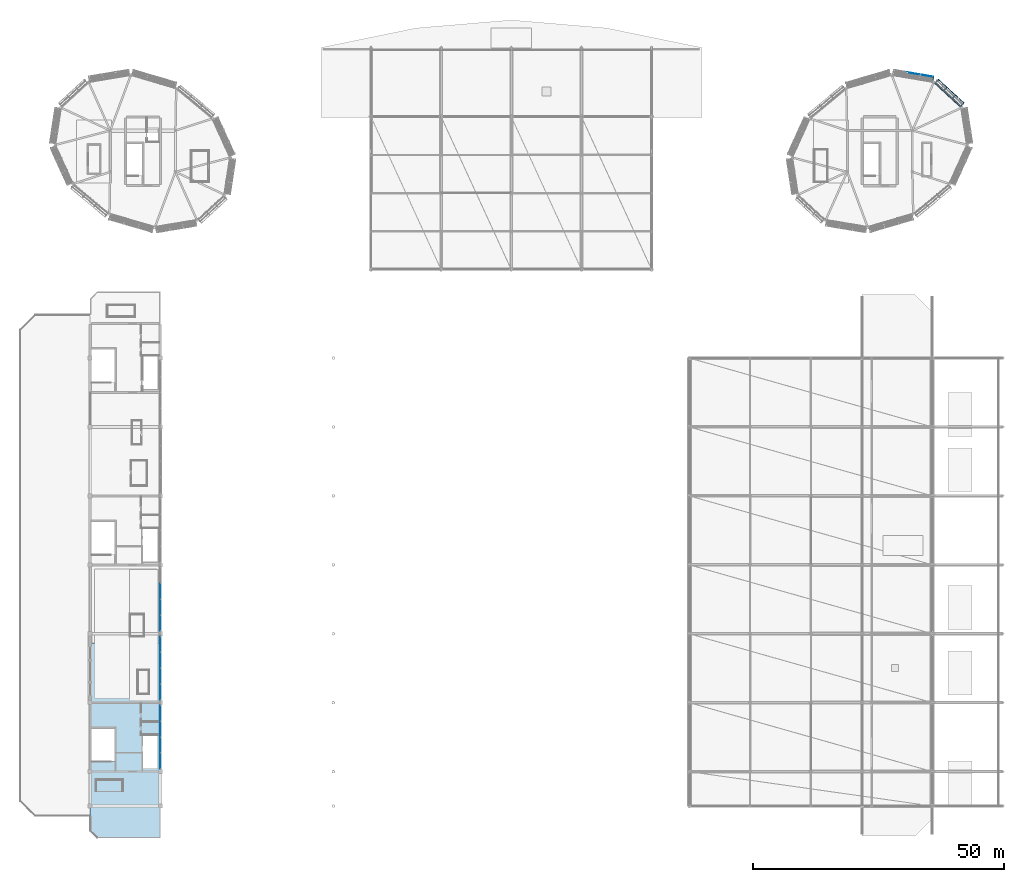
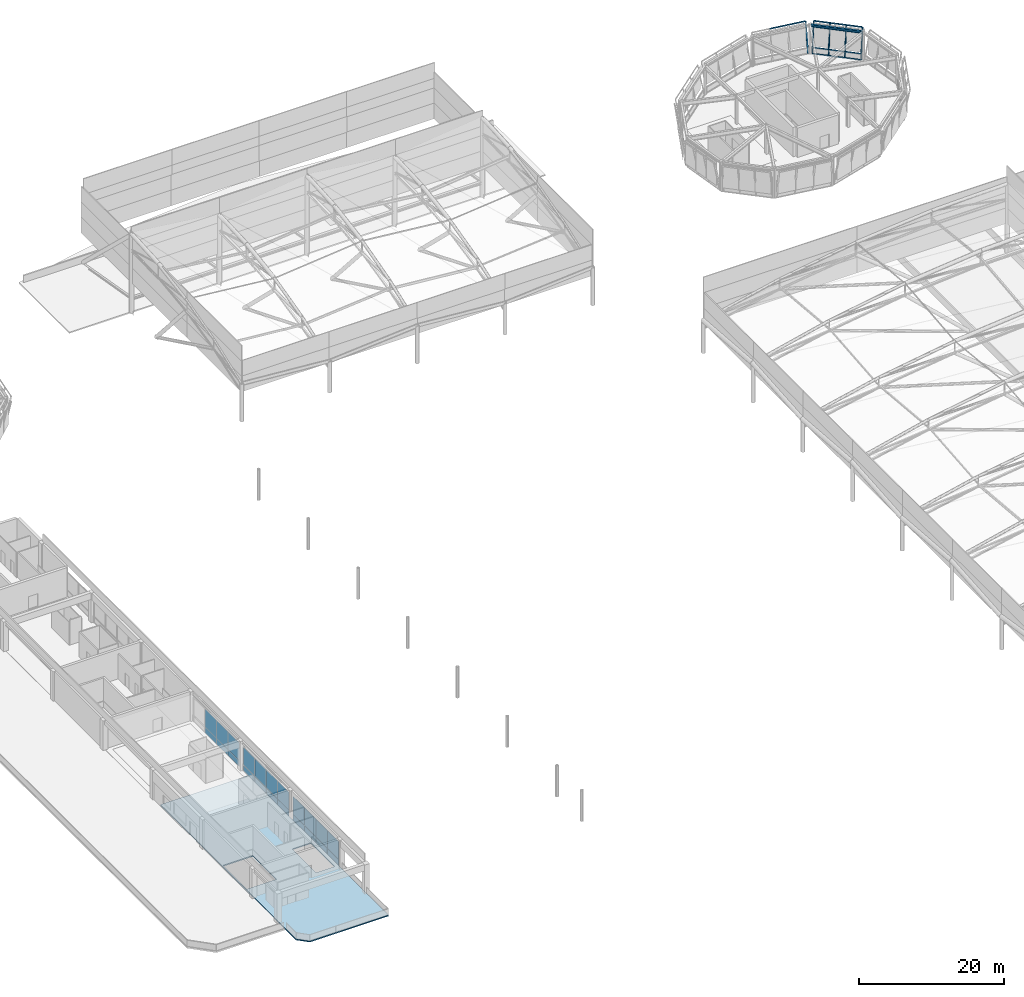
# One storey, part 66 of 113: 22 plates, 16 members, 1 beam, 1 slab, 5 elements without a shape of their own.
"""IFC4 building model written with IfcOpenShell, lengths in metres."""

from ifc_helpers import new_model, si_unit, direction, frame, origin, origin_2d, place, context, subcontext, project, spatial, polyline, rectangle, hollow_rectangle, i_section, outline, extrude, material, layer, layer_set, material_profile, profile_set, type_object, element, aggregate, save


model = new_model("IFC4")

# Units and contexts
model_context = context("Model", 3, precision=1e-05, world=origin(), true_north=direction((0.0, 1.0)))
body_context = subcontext(model_context, "Body", "Model", "MODEL_VIEW")
ifc_project = project(units=[si_unit("LENGTHUNIT", "METRE"), si_unit("AREAUNIT", "SQUARE_METRE"), si_unit("VOLUMEUNIT", "CUBIC_METRE"), si_unit("PLANEANGLEUNIT", "RADIAN"), si_unit("MASSUNIT", "GRAM", prefix="KILO")], contexts=[model_context])

# Site, building, storey
site_placement = place(None, origin())
site = spatial("IfcSite", under=ifc_project, at=site_placement, CompositionType="ELEMENT")
building_placement = place(site_placement, origin())
building = spatial("IfcBuilding", under=site, at=building_placement, Name="Linyun Crest Stadium", CompositionType="ELEMENT")
storey_placement = place(building_placement, frame((0.0, 0.0, 26.39990234375)))
storey = spatial("IfcBuildingStorey", under=building, at=storey_placement, Name="L06", CompositionType="ELEMENT", Elevation=26.39990234375)

# Beam
ifc_material_1 = material(Name="Steel Q355C", Category="steel")
ifc_material_profile_1 = material_profile(ifc_material_1, i_section(OverallWidth=0.300048828125, OverallDepth=0.389892578125, WebThickness=0.010009765625, FlangeThickness=0.01611328125, at=origin_2d()), Name="HM 390x300")
ifc_profile_set_1 = profile_set([ifc_material_profile_1], Name="Steel Q355C")
beam_type = type_object("IfcBeamType", Name="B06", PredefinedType="BEAM", material=ifc_profile_set_1)
beam_placement = place(storey_placement, frame((89.7470703125, 93.39111328125, 4.75), z_axis=(-0.734193861678, 0.678939889441, 0.0), x_axis=(-0.678939889441, -0.734193861678, 0.0)))
element("IfcBeam", 1, at=beam_placement, inside=storey, type_object=beam_type, Name="Pod ring girder B06 L06 169", PredefinedType="BEAM", context=body_context, shape_type="SweptSolid", body=[
    extrude(i_section(OverallWidth=0.300048828125, OverallDepth=0.389892578125, WebThickness=0.010009765625, FlangeThickness=0.01611328125, at=origin_2d()), origin(), (0.0, 0.0, 1.0), 7.28173828125),
])

# Curtain wall, members
ifc_material_2 = material(Name="Verdigris steel and low-E curtain wall assembly", Category="steel")
curtain_wall_type_1 = type_object("IfcCurtainWallType", Name="MCW04", PredefinedType="NOTDEFINED", material=ifc_material_2)
curtain_wall_1_placement = place(storey_placement, origin())
curtain_wall_1 = element("IfcCurtainWall", 2, at=curtain_wall_1_placement, inside=storey, type_object=curtain_wall_type_1, Name="CWR-061", PredefinedType="NOTDEFINED")
ifc_material_3 = material(Name="Verdigris painted steel Q355C pod mullion", Category="steel")
ifc_material_profile_2 = material_profile(ifc_material_3, hollow_rectangle(XDim=0.1201171875, YDim=0.219970703125, WallThickness=0.008056640625, at=origin_2d()), Name="RHS 220x120x8")
ifc_profile_set_2 = profile_set([ifc_material_profile_2], Name="Verdigris painted steel Q355C pod mullion")
member_type_1 = type_object("IfcMemberType", Name="ML04", PredefinedType="MULLION", material=ifc_profile_set_2)
member_1_placement = place(storey_placement, frame((89.614990234375, 93.513916015625, 0.0), z_axis=(0.135271864626, 0.146396843303, 0.979933409427), x_axis=(0.986900996133, 0.06784214931, -0.146368940042)))
member_1 = element("IfcMember", 3, at=member_1_placement, type_object=member_type_1, Name="CWR-061 mullion 1", PredefinedType="MULLION", context=body_context, shape_type="SweptSolid", body=[
    extrude(hollow_rectangle(XDim=0.1201171875, YDim=0.219970703125, WallThickness=0.008056640625, at=origin_2d()), origin(), (0.0, 0.0, 1.0), 4.959716796875),
])
member_2_placement = place(storey_placement, frame((87.9208984375, 95.080078125, 0.0), z_axis=(0.135321163974, 0.146347697524, 0.979933943697), x_axis=(0.986924878518, 0.067498016121, -0.146367011251)))
member_2 = element("IfcMember", 4, at=member_2_placement, type_object=member_type_1, Name="CWR-061 mullion 2", PredefinedType="MULLION", context=body_context, shape_type="SweptSolid", body=[
    extrude(hollow_rectangle(XDim=0.1201171875, YDim=0.219970703125, WallThickness=0.008056640625, at=origin_2d()), origin(), (0.0, 0.0, 1.0), 4.959716796875),
])
member_3_placement = place(storey_placement, frame((86.22705078125, 96.64599609375, 0.0), z_axis=(0.135271864626, 0.146396843303, 0.979933409427), x_axis=(0.986900996133, 0.06784214931, -0.146368940042)))
member_3 = element("IfcMember", 5, at=member_3_placement, type_object=member_type_1, Name="CWR-061 mullion 3", PredefinedType="MULLION", context=body_context, shape_type="SweptSolid", body=[
    extrude(hollow_rectangle(XDim=0.1201171875, YDim=0.219970703125, WallThickness=0.008056640625, at=origin_2d()), origin(), (0.0, 0.0, 1.0), 4.959716796875),
])
member_4_placement = place(storey_placement, frame((84.532958984375, 98.2119140625, 0.0), z_axis=(0.135320188959, 0.146395868303, 0.979926883091), x_axis=(0.986910030281, 0.067659651153, -0.146392498909)))
member_4 = element("IfcMember", 6, at=member_4_placement, type_object=member_type_1, Name="CWR-061 mullion 4", PredefinedType="MULLION", context=body_context, shape_type="SweptSolid", body=[
    extrude(hollow_rectangle(XDim=0.1201171875, YDim=0.219970703125, WallThickness=0.008056640625, at=origin_2d()), origin(), (0.0, 0.0, 1.0), 4.959716796875),
])

# Curtain wall, member
curtain_wall_2_placement = place(storey_placement, origin())
curtain_wall_2 = element("IfcCurtainWall", 7, at=curtain_wall_2_placement, inside=storey, type_object=curtain_wall_type_1, Name="CWR-062", PredefinedType="NOTDEFINED")
member_5_placement = place(storey_placement, frame((84.01708984375, 98.466064453125, 0.0), z_axis=(0.032833742862, 0.196559423159, 0.979942007721), x_axis=(0.322032514428, 0.926101088743, -0.196549823403)))
member_5 = element("IfcMember", 8, at=member_5_placement, type_object=member_type_1, Name="CWR-062 mullion 1", PredefinedType="MULLION", context=body_context, shape_type="SweptSolid", body=[
    extrude(hollow_rectangle(XDim=0.1201171875, YDim=0.219970703125, WallThickness=0.008056640625, at=origin_2d()), origin(), (0.0, 0.0, 1.0), 4.95947265625),
])

# Member
ifc_material_4 = material(Name="Verdigris painted steel Q355C transom", Category="steel")
ifc_material_profile_3 = material_profile(ifc_material_4, hollow_rectangle(XDim=0.10009765625, YDim=0.199951171875, WallThickness=0.008056640625, at=origin_2d()), Name="RHS 200x100x8")
ifc_profile_set_3 = profile_set([ifc_material_profile_3], Name="Verdigris painted steel Q355C transom")
member_type_2 = type_object("IfcMemberType", Name="TR03", PredefinedType="USERDEFINED", material=ifc_profile_set_3)
member_6_placement = place(storey_placement, frame((89.614990234375, 93.513916015625, 0.0), z_axis=(-0.734287991916, 0.678838084471, 0.0), x_axis=(-0.678838084471, -0.734287991916, 0.0)))
member_6 = element("IfcMember", 9, at=member_6_placement, type_object=member_type_2, Name="CWR-061 transom 1.1", ObjectType="TRANSOM", PredefinedType="USERDEFINED", context=body_context, shape_type="SweptSolid", body=[
    extrude(hollow_rectangle(XDim=0.10009765625, YDim=0.199951171875, WallThickness=0.008056640625, at=origin_2d()), origin(), (0.0, 0.0, 1.0), 2.30712890625),
])

member_7_placement = place(storey_placement, frame((89.739013671875, 93.64794921875, 0.900146484375), z_axis=(-0.734287991916, 0.678838084471, 0.0), x_axis=(-0.678838084471, -0.734287991916, 0.0)))
member_7 = element("IfcMember", 10, at=member_7_placement, type_object=member_type_2, Name="CWR-061 transom 1.2", ObjectType="TRANSOM", PredefinedType="USERDEFINED", context=body_context, shape_type="SweptSolid", body=[
    extrude(hollow_rectangle(XDim=0.10009765625, YDim=0.199951171875, WallThickness=0.008056640625, at=origin_2d()), origin(), (0.0, 0.0, 1.0), 2.30712890625),
])

member_8_placement = place(storey_placement, frame((90.285888671875, 94.239990234375, 4.860107421875), z_axis=(-0.73429197574, 0.678833775208, 0.0), x_axis=(-0.678833775208, -0.73429197574, 0.0)))
member_8 = element("IfcMember", 11, at=member_8_placement, type_object=member_type_2, Name="CWR-061 transom 1.3", ObjectType="TRANSOM", PredefinedType="USERDEFINED", context=body_context, shape_type="SweptSolid", body=[
    extrude(hollow_rectangle(XDim=0.10009765625, YDim=0.199951171875, WallThickness=0.008056640625, at=origin_2d()), origin(), (0.0, 0.0, 1.0), 2.306884765625),
])

member_9_placement = place(storey_placement, frame((87.9208984375, 95.080078125, 0.0), z_axis=(-0.73429197574, 0.678833775208, 0.0), x_axis=(-0.678833775208, -0.73429197574, 0.0)))
member_9 = element("IfcMember", 12, at=member_9_placement, type_object=member_type_2, Name="CWR-061 transom 2.1", ObjectType="TRANSOM", PredefinedType="USERDEFINED", context=body_context, shape_type="SweptSolid", body=[
    extrude(hollow_rectangle(XDim=0.10009765625, YDim=0.199951171875, WallThickness=0.008056640625, at=origin_2d()), origin(), (0.0, 0.0, 1.0), 2.306884765625),
])

member_10_placement = place(storey_placement, frame((88.044921875, 95.214111328125, 0.900146484375), z_axis=(-0.73429197574, 0.678833775208, 0.0), x_axis=(-0.678833775208, -0.73429197574, 0.0)))
member_10 = element("IfcMember", 13, at=member_10_placement, type_object=member_type_2, Name="CWR-061 transom 2.2", ObjectType="TRANSOM", PredefinedType="USERDEFINED", context=body_context, shape_type="SweptSolid", body=[
    extrude(hollow_rectangle(XDim=0.10009765625, YDim=0.199951171875, WallThickness=0.008056640625, at=origin_2d()), origin(), (0.0, 0.0, 1.0), 2.306884765625),
])

member_11_placement = place(storey_placement, frame((88.592041015625, 95.805908203125, 4.860107421875), z_axis=(-0.734287991916, 0.678838084471, 0.0), x_axis=(-0.678838084471, -0.734287991916, 0.0)))
member_11 = element("IfcMember", 14, at=member_11_placement, type_object=member_type_2, Name="CWR-061 transom 2.3", ObjectType="TRANSOM", PredefinedType="USERDEFINED", context=body_context, shape_type="SweptSolid", body=[
    extrude(hollow_rectangle(XDim=0.10009765625, YDim=0.199951171875, WallThickness=0.008056640625, at=origin_2d()), origin(), (0.0, 0.0, 1.0), 2.30712890625),
])

member_12_placement = place(storey_placement, frame((86.22705078125, 96.64599609375, 0.0), z_axis=(-0.734340741023, 0.678781022182, 0.0), x_axis=(-0.678781022182, -0.734340741023, 0.0)))
member_12 = element("IfcMember", 15, at=member_12_placement, type_object=member_type_2, Name="CWR-061 transom 3.1", ObjectType="TRANSOM", PredefinedType="USERDEFINED", context=body_context, shape_type="SweptSolid", body=[
    extrude(hollow_rectangle(XDim=0.10009765625, YDim=0.199951171875, WallThickness=0.008056640625, at=origin_2d()), origin(), (0.0, 0.0, 1.0), 2.306884765625),
])

member_13_placement = place(storey_placement, frame((86.35107421875, 96.780029296875, 0.900146484375), z_axis=(-0.734340741023, 0.678781022182, 0.0), x_axis=(-0.678781022182, -0.734340741023, 0.0)))
member_13 = element("IfcMember", 16, at=member_13_placement, type_object=member_type_2, Name="CWR-061 transom 3.2", ObjectType="TRANSOM", PredefinedType="USERDEFINED", context=body_context, shape_type="SweptSolid", body=[
    extrude(hollow_rectangle(XDim=0.10009765625, YDim=0.199951171875, WallThickness=0.008056640625, at=origin_2d()), origin(), (0.0, 0.0, 1.0), 2.306884765625),
])

member_14_placement = place(storey_placement, frame((86.89794921875, 97.3720703125, 4.860107421875), z_axis=(-0.73429197574, 0.678833775208, 0.0), x_axis=(-0.678833775208, -0.73429197574, 0.0)))
member_14 = element("IfcMember", 17, at=member_14_placement, type_object=member_type_2, Name="CWR-061 transom 3.3", ObjectType="TRANSOM", PredefinedType="USERDEFINED", context=body_context, shape_type="SweptSolid", body=[
    extrude(hollow_rectangle(XDim=0.10009765625, YDim=0.199951171875, WallThickness=0.008056640625, at=origin_2d()), origin(), (0.0, 0.0, 1.0), 2.306884765625),
])

aggregate(curtain_wall_1, [member_1, member_2, member_3, member_4, member_6, member_7, member_8, member_9, member_10, member_11, member_12, member_13, member_14])

member_15_placement = place(storey_placement, frame((84.179931640625, 99.44091796875, 4.860107421875), z_axis=(-0.98625889267, 0.165207132499, 0.0), x_axis=(-0.165207132499, -0.98625889267, 0.0)))
member_15 = element("IfcMember", 18, at=member_15_placement, type_object=member_type_2, Name="CWR-062 transom 1.3", ObjectType="TRANSOM", PredefinedType="USERDEFINED", context=body_context, shape_type="SweptSolid", body=[
    extrude(hollow_rectangle(XDim=0.10009765625, YDim=0.199951171875, WallThickness=0.008056640625, at=origin_2d()), origin(), (0.0, 0.0, 1.0), 2.645263671875),
])

member_16_placement = place(storey_placement, frame((81.571044921875, 99.8779296875, 4.860107421875), z_axis=(-0.986261411357, 0.165192095661, 0.0), x_axis=(-0.165192095661, -0.986261411357, 0.0)))
member_16 = element("IfcMember", 19, at=member_16_placement, type_object=member_type_2, Name="CWR-062 transom 2.3", ObjectType="TRANSOM", PredefinedType="USERDEFINED", context=body_context, shape_type="SweptSolid", body=[
    extrude(hollow_rectangle(XDim=0.10009765625, YDim=0.199951171875, WallThickness=0.008056640625, at=origin_2d()), origin(), (0.0, 0.0, 1.0), 2.6455078125),
])

aggregate(curtain_wall_2, [member_5, member_15, member_16])

# Slab
ifc_material_5 = material(Name="Concrete C40", Category="concrete")
ifc_layer_1 = layer(ifc_material_5, 0.179931640625)
ifc_layer_set_1 = layer_set([ifc_layer_1], Name="Concrete C40")
slab_type = type_object("IfcSlabType", Name="FS01", PredefinedType="FLOOR", material=ifc_layer_set_1)
slab_placement = place(storey_placement, frame((0.0, 0.0, -0.179931640625)))
element("IfcSlab", 20, at=slab_placement, inside=storey, type_object=slab_type, Name="Slab FS01 V1 L06 12", PredefinedType="FLOOR", context=body_context, shape_type="SweptSolid", body=[
    extrude(outline(polyline([(-82.60009765625, -52.3349609375), (-70.0, -52.3349609375), (-70.0, -13.510009765625), (-84.0, -13.510009765625), (-84.0, -50.93505859375), (-82.60009765625, -52.3349609375)]), holes=[polyline([(-83.824951171875, -37.10498046875), (-83.824951171875, -30.52490234375), (-79.10009765625, -30.52490234375), (-79.10009765625, -37.10498046875), (-83.824951171875, -37.10498046875)]), polyline([(-73.60009765625, -38.47509765625), (-73.60009765625, -31.875), (-70.60009765625, -31.875), (-70.60009765625, -38.47509765625), (-73.60009765625, -38.47509765625)])]), origin(), (0.0, 0.0, 1.0), 0.179931640625),
])

# Curtain wall, plates
ifc_material_6 = material(Name="Verdigris steel and low-E curtain wall assembly", Category="steel")
curtain_wall_type_2 = type_object("IfcCurtainWallType", Name="MCW06", PredefinedType="NOTDEFINED", material=ifc_material_6)
curtain_wall_3_placement = place(storey_placement, origin())
curtain_wall_3 = element("IfcCurtainWall", 21, at=curtain_wall_3_placement, inside=storey, type_object=curtain_wall_type_2, Name="CWR-077", PredefinedType="NOTDEFINED")
ifc_material_7 = material(Name="Acoustic laminated low-E broadcast glass", Category="glass")
ifc_layer_2 = layer(ifc_material_7, 0.030029296875)
ifc_layer_set_2 = layer_set([ifc_layer_2], Name="Acoustic laminated low-E broadcast glass")
plate_type_1 = type_object("IfcPlateType", Name="GP02", PredefinedType="CURTAIN_PANEL", material=ifc_layer_set_2)
plate_1_placement = place(storey_placement, frame((-70.0, -36.993896484375, 1.025146484375), z_axis=(0.0, 0.0, 1.0), x_axis=(0.0, 1.0, 0.0)))
plate_1 = element("IfcPlate", 22, at=plate_1_placement, type_object=plate_type_1, Name="CWR-077 panel 1.2", PredefinedType="CURTAIN_PANEL", context=body_context, shape_type="SweptSolid", body=[
    extrude(rectangle(XDim=3.112548828125, YDim=0.030029296875, at=origin_2d()), origin(), (0.0, 0.0, 1.0), 3.0),
])
plate_2_placement = place(storey_placement, frame((-70.0, -33.8310546875, 1.025146484375), z_axis=(0.0, 0.0, 1.0), x_axis=(0.0, 1.0, 0.0)))
plate_2 = element("IfcPlate", 23, at=plate_2_placement, type_object=plate_type_1, Name="CWR-077 panel 2.2", PredefinedType="CURTAIN_PANEL", context=body_context, shape_type="SweptSolid", body=[
    extrude(rectangle(XDim=3.112548828125, YDim=0.030029296875, at=origin_2d()), origin(), (0.0, 0.0, 1.0), 3.0),
])
plate_3_placement = place(storey_placement, frame((-70.0, -30.6689453125, 1.025146484375), z_axis=(0.0, 0.0, 1.0), x_axis=(0.0, 1.0, 0.0)))
plate_3 = element("IfcPlate", 24, at=plate_3_placement, type_object=plate_type_1, Name="CWR-077 panel 3.2", PredefinedType="CURTAIN_PANEL", context=body_context, shape_type="SweptSolid", body=[
    extrude(rectangle(XDim=3.112548828125, YDim=0.030029296875, at=origin_2d()), origin(), (0.0, 0.0, 1.0), 3.0),
])
plate_4_placement = place(storey_placement, frame((-70.0, -27.506103515625, 1.025146484375), z_axis=(0.0, 0.0, 1.0), x_axis=(0.0, 1.0, 0.0)))
plate_4 = element("IfcPlate", 25, at=plate_4_placement, type_object=plate_type_1, Name="CWR-077 panel 4.2", PredefinedType="CURTAIN_PANEL", context=body_context, shape_type="SweptSolid", body=[
    extrude(rectangle(XDim=3.112548828125, YDim=0.030029296875, at=origin_2d()), origin(), (0.0, 0.0, 1.0), 3.0),
])

curtain_wall_4_placement = place(storey_placement, origin())
curtain_wall_4 = element("IfcCurtainWall", 26, at=curtain_wall_4_placement, inside=storey, type_object=curtain_wall_type_2, Name="CWR-086", PredefinedType="NOTDEFINED")
plate_5_placement = place(storey_placement, frame((-70.0, -23.243896484375, 1.025146484375), z_axis=(0.0, 0.0, 1.0), x_axis=(0.0, 1.0, 0.0)))
plate_5 = element("IfcPlate", 27, at=plate_5_placement, type_object=plate_type_1, Name="CWR-086 panel 1.2", PredefinedType="CURTAIN_PANEL", context=body_context, shape_type="SweptSolid", body=[
    extrude(rectangle(XDim=3.112548828125, YDim=0.030029296875, at=origin_2d()), origin(), (0.0, 0.0, 1.0), 3.0),
])
plate_6_placement = place(storey_placement, frame((-70.0, -20.0810546875, 1.025146484375), z_axis=(0.0, 0.0, 1.0), x_axis=(0.0, 1.0, 0.0)))
plate_6 = element("IfcPlate", 28, at=plate_6_placement, type_object=plate_type_1, Name="CWR-086 panel 2.2", PredefinedType="CURTAIN_PANEL", context=body_context, shape_type="SweptSolid", body=[
    extrude(rectangle(XDim=3.112548828125, YDim=0.030029296875, at=origin_2d()), origin(), (0.0, 0.0, 1.0), 3.0),
])
plate_7_placement = place(storey_placement, frame((-70.0, -16.9189453125, 1.025146484375), z_axis=(0.0, 0.0, 1.0), x_axis=(0.0, 1.0, 0.0)))
plate_7 = element("IfcPlate", 29, at=plate_7_placement, type_object=plate_type_1, Name="CWR-086 panel 3.2", PredefinedType="CURTAIN_PANEL", context=body_context, shape_type="SweptSolid", body=[
    extrude(rectangle(XDim=3.112548828125, YDim=0.030029296875, at=origin_2d()), origin(), (0.0, 0.0, 1.0), 3.0),
])
plate_8_placement = place(storey_placement, frame((-70.0, -13.756103515625, 1.025146484375), z_axis=(0.0, 0.0, 1.0), x_axis=(0.0, 1.0, 0.0)))
plate_8 = element("IfcPlate", 30, at=plate_8_placement, type_object=plate_type_1, Name="CWR-086 panel 4.2", PredefinedType="CURTAIN_PANEL", context=body_context, shape_type="SweptSolid", body=[
    extrude(rectangle(XDim=3.112548828125, YDim=0.030029296875, at=origin_2d()), origin(), (0.0, 0.0, 1.0), 3.0),
])

curtain_wall_5_placement = place(storey_placement, origin())
curtain_wall_5 = element("IfcCurtainWall", 31, at=curtain_wall_5_placement, inside=storey, type_object=curtain_wall_type_2, Name="CWR-095", PredefinedType="NOTDEFINED")
plate_9_placement = place(storey_placement, frame((-70.0, -9.493896484375, 1.025146484375), z_axis=(0.0, 0.0, 1.0), x_axis=(0.0, 1.0, 0.0)))
plate_9 = element("IfcPlate", 32, at=plate_9_placement, type_object=plate_type_1, Name="CWR-095 panel 1.2", PredefinedType="CURTAIN_PANEL", context=body_context, shape_type="SweptSolid", body=[
    extrude(rectangle(XDim=3.112548828125, YDim=0.030029296875, at=origin_2d()), origin(), (0.0, 0.0, 1.0), 3.0),
])
plate_10_placement = place(storey_placement, frame((-70.0, -6.3310546875, 1.025146484375), z_axis=(0.0, 0.0, 1.0), x_axis=(0.0, 1.0, 0.0)))
plate_10 = element("IfcPlate", 33, at=plate_10_placement, type_object=plate_type_1, Name="CWR-095 panel 2.2", PredefinedType="CURTAIN_PANEL", context=body_context, shape_type="SweptSolid", body=[
    extrude(rectangle(XDim=3.112548828125, YDim=0.030029296875, at=origin_2d()), origin(), (0.0, 0.0, 1.0), 3.0),
])
plate_11_placement = place(storey_placement, frame((-70.0, -3.1689453125, 1.025146484375), z_axis=(0.0, 0.0, 1.0), x_axis=(0.0, 1.0, 0.0)))
plate_11 = element("IfcPlate", 34, at=plate_11_placement, type_object=plate_type_1, Name="CWR-095 panel 3.2", PredefinedType="CURTAIN_PANEL", context=body_context, shape_type="SweptSolid", body=[
    extrude(rectangle(XDim=3.112548828125, YDim=0.030029296875, at=origin_2d()), origin(), (0.0, 0.0, 1.0), 3.0),
])

# Plate
ifc_material_8 = material(Name="Warm ochre glazed ceramic faience spandrel")
ifc_layer_3 = layer(ifc_material_8, 0.048095703125)
ifc_layer_set_3 = layer_set([ifc_layer_3], Name="Warm ochre glazed ceramic faience spandrel")
plate_type_2 = type_object("IfcPlateType", Name="SP02", PredefinedType="SHEET", material=ifc_layer_set_3)
plate_12_placement = place(storey_placement, frame((-70.0, -36.993896484375, 0.02490234375), z_axis=(0.0, 0.0, 1.0), x_axis=(0.0, 1.0, 0.0)))
plate_12 = element("IfcPlate", 35, at=plate_12_placement, type_object=plate_type_2, Name="CWR-077 panel 1.1", PredefinedType="SHEET", context=body_context, shape_type="SweptSolid", body=[
    extrude(rectangle(XDim=3.112548828125, YDim=0.048095703125, at=origin_2d()), origin(), (0.0, 0.0, 1.0), 0.949951171875),
])

plate_13_placement = place(storey_placement, frame((-70.0, -33.8310546875, 0.02490234375), z_axis=(0.0, 0.0, 1.0), x_axis=(0.0, 1.0, 0.0)))
plate_13 = element("IfcPlate", 36, at=plate_13_placement, type_object=plate_type_2, Name="CWR-077 panel 2.1", PredefinedType="SHEET", context=body_context, shape_type="SweptSolid", body=[
    extrude(rectangle(XDim=3.112548828125, YDim=0.048095703125, at=origin_2d()), origin(), (0.0, 0.0, 1.0), 0.949951171875),
])

plate_14_placement = place(storey_placement, frame((-70.0, -30.6689453125, 0.02490234375), z_axis=(0.0, 0.0, 1.0), x_axis=(0.0, 1.0, 0.0)))
plate_14 = element("IfcPlate", 37, at=plate_14_placement, type_object=plate_type_2, Name="CWR-077 panel 3.1", PredefinedType="SHEET", context=body_context, shape_type="SweptSolid", body=[
    extrude(rectangle(XDim=3.112548828125, YDim=0.048095703125, at=origin_2d()), origin(), (0.0, 0.0, 1.0), 0.949951171875),
])

plate_15_placement = place(storey_placement, frame((-70.0, -27.506103515625, 0.02490234375), z_axis=(0.0, 0.0, 1.0), x_axis=(0.0, 1.0, 0.0)))
plate_15 = element("IfcPlate", 38, at=plate_15_placement, type_object=plate_type_2, Name="CWR-077 panel 4.1", PredefinedType="SHEET", context=body_context, shape_type="SweptSolid", body=[
    extrude(rectangle(XDim=3.112548828125, YDim=0.048095703125, at=origin_2d()), origin(), (0.0, 0.0, 1.0), 0.949951171875),
])

aggregate(curtain_wall_3, [plate_12, plate_1, plate_13, plate_2, plate_14, plate_3, plate_15, plate_4])

plate_16_placement = place(storey_placement, frame((-70.0, -23.243896484375, 0.02490234375), z_axis=(0.0, 0.0, 1.0), x_axis=(0.0, 1.0, 0.0)))
plate_16 = element("IfcPlate", 39, at=plate_16_placement, type_object=plate_type_2, Name="CWR-086 panel 1.1", PredefinedType="SHEET", context=body_context, shape_type="SweptSolid", body=[
    extrude(rectangle(XDim=3.112548828125, YDim=0.048095703125, at=origin_2d()), origin(), (0.0, 0.0, 1.0), 0.949951171875),
])

plate_17_placement = place(storey_placement, frame((-70.0, -20.0810546875, 0.02490234375), z_axis=(0.0, 0.0, 1.0), x_axis=(0.0, 1.0, 0.0)))
plate_17 = element("IfcPlate", 40, at=plate_17_placement, type_object=plate_type_2, Name="CWR-086 panel 2.1", PredefinedType="SHEET", context=body_context, shape_type="SweptSolid", body=[
    extrude(rectangle(XDim=3.112548828125, YDim=0.048095703125, at=origin_2d()), origin(), (0.0, 0.0, 1.0), 0.949951171875),
])

plate_18_placement = place(storey_placement, frame((-70.0, -16.9189453125, 0.02490234375), z_axis=(0.0, 0.0, 1.0), x_axis=(0.0, 1.0, 0.0)))
plate_18 = element("IfcPlate", 41, at=plate_18_placement, type_object=plate_type_2, Name="CWR-086 panel 3.1", PredefinedType="SHEET", context=body_context, shape_type="SweptSolid", body=[
    extrude(rectangle(XDim=3.112548828125, YDim=0.048095703125, at=origin_2d()), origin(), (0.0, 0.0, 1.0), 0.949951171875),
])

plate_19_placement = place(storey_placement, frame((-70.0, -13.756103515625, 0.02490234375), z_axis=(0.0, 0.0, 1.0), x_axis=(0.0, 1.0, 0.0)))
plate_19 = element("IfcPlate", 42, at=plate_19_placement, type_object=plate_type_2, Name="CWR-086 panel 4.1", PredefinedType="SHEET", context=body_context, shape_type="SweptSolid", body=[
    extrude(rectangle(XDim=3.112548828125, YDim=0.048095703125, at=origin_2d()), origin(), (0.0, 0.0, 1.0), 0.949951171875),
])

aggregate(curtain_wall_4, [plate_16, plate_5, plate_17, plate_6, plate_18, plate_7, plate_19, plate_8])

plate_20_placement = place(storey_placement, frame((-70.0, -9.493896484375, 0.02490234375), z_axis=(0.0, 0.0, 1.0), x_axis=(0.0, 1.0, 0.0)))
plate_20 = element("IfcPlate", 43, at=plate_20_placement, type_object=plate_type_2, Name="CWR-095 panel 1.1", PredefinedType="SHEET", context=body_context, shape_type="SweptSolid", body=[
    extrude(rectangle(XDim=3.112548828125, YDim=0.048095703125, at=origin_2d()), origin(), (0.0, 0.0, 1.0), 0.949951171875),
])

plate_21_placement = place(storey_placement, frame((-70.0, -6.3310546875, 0.02490234375), z_axis=(0.0, 0.0, 1.0), x_axis=(0.0, 1.0, 0.0)))
plate_21 = element("IfcPlate", 44, at=plate_21_placement, type_object=plate_type_2, Name="CWR-095 panel 2.1", PredefinedType="SHEET", context=body_context, shape_type="SweptSolid", body=[
    extrude(rectangle(XDim=3.112548828125, YDim=0.048095703125, at=origin_2d()), origin(), (0.0, 0.0, 1.0), 0.949951171875),
])

plate_22_placement = place(storey_placement, frame((-70.0, -3.1689453125, 0.02490234375), z_axis=(0.0, 0.0, 1.0), x_axis=(0.0, 1.0, 0.0)))
plate_22 = element("IfcPlate", 45, at=plate_22_placement, type_object=plate_type_2, Name="CWR-095 panel 3.1", PredefinedType="SHEET", context=body_context, shape_type="SweptSolid", body=[
    extrude(rectangle(XDim=3.112548828125, YDim=0.048095703125, at=origin_2d()), origin(), (0.0, 0.0, 1.0), 0.949951171875),
])

aggregate(curtain_wall_5, [plate_20, plate_9, plate_21, plate_10, plate_22, plate_11])

save(model, "model.ifc")
